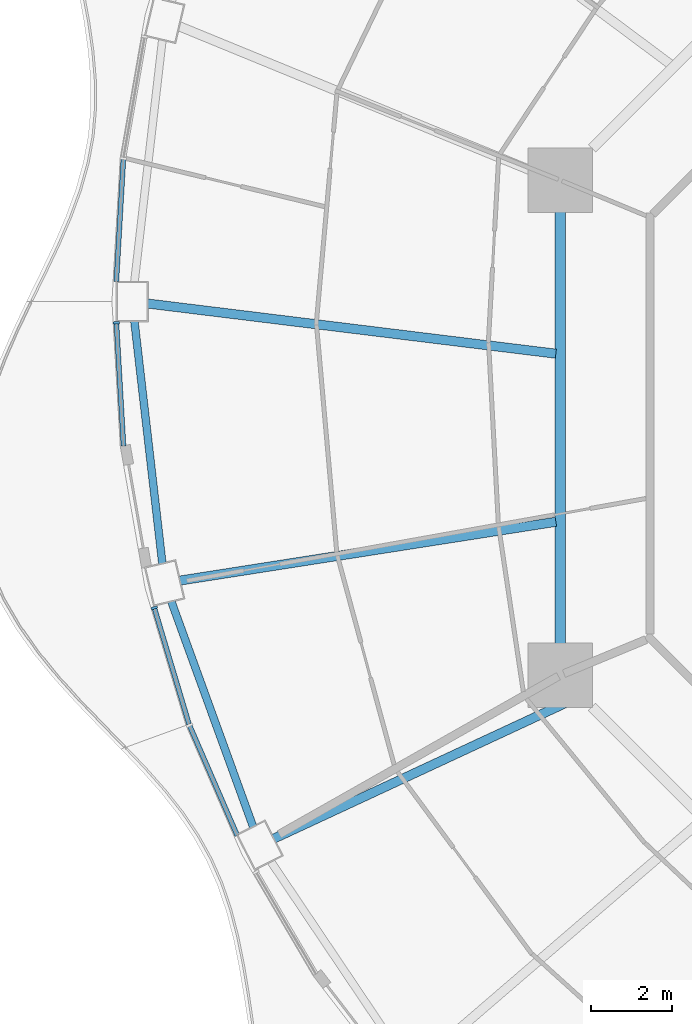
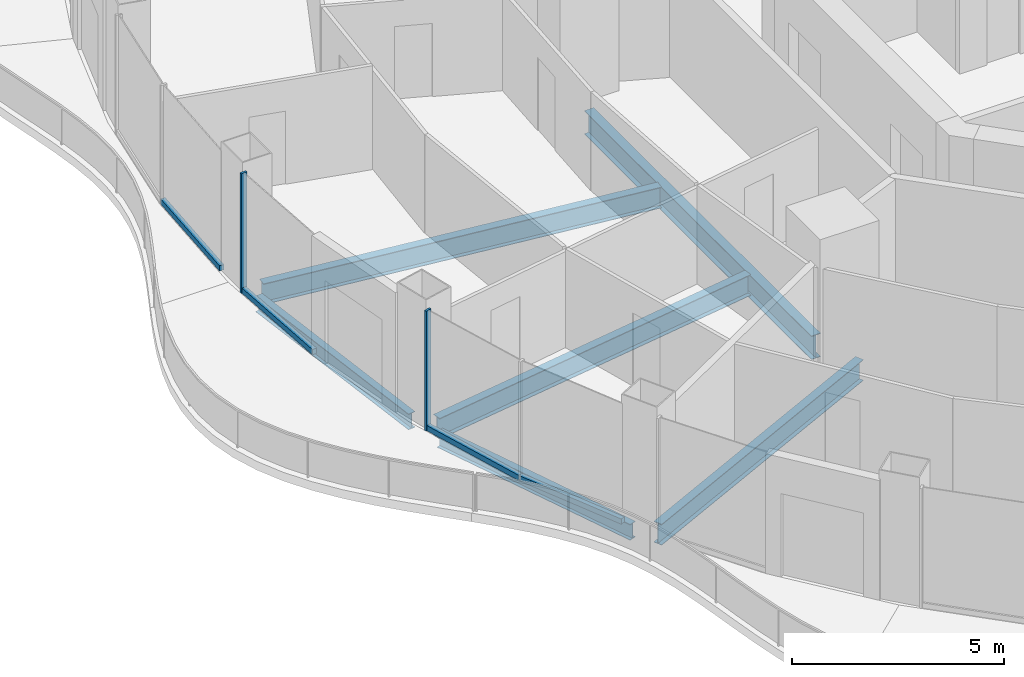
# One storey, part 3 of 18: 6 beams, 6 members, 4 elements without a shape of their own.
"""IFC4 building model written with IfcOpenShell, lengths in metres."""

from ifc_helpers import new_model, si_unit, direction, frame, origin, origin_2d, place, context, subcontext, project, spatial, rectangle, i_section, extrude, material, layer, layer_set, material_profile, profile_set, type_object, element, aggregate, save


model = new_model("IFC4")

# Units and contexts
model_context = context("Model", 3, precision=1e-05, world=origin(), true_north=direction((0.0, 1.0)))
body_context = subcontext(model_context, "Body", "Model", "MODEL_VIEW")
ifc_project = project(units=[si_unit("LENGTHUNIT", "METRE"), si_unit("AREAUNIT", "SQUARE_METRE"), si_unit("VOLUMEUNIT", "CUBIC_METRE"), si_unit("PLANEANGLEUNIT", "RADIAN"), si_unit("MASSUNIT", "GRAM", prefix="KILO")], contexts=[model_context])

# Site, building, storey
site_placement = place(None, origin())
site = spatial("IfcSite", under=ifc_project, at=site_placement, CompositionType="ELEMENT")
building_placement = place(site_placement, origin())
building = spatial("IfcBuilding", under=site, at=building_placement, Name="Nagisa Residences", CompositionType="ELEMENT")
storey_placement = place(building_placement, frame((0.0, 0.0, 245.5)))
storey = spatial("IfcBuildingStorey", under=building, at=storey_placement, Name="L62", CompositionType="ELEMENT", Elevation=245.5)

# Curtain wall, member
ifc_material_1 = material(Name="Concrete-coloured aluminium curtain wall system", Category="concrete")
ifc_layer = layer(ifc_material_1, 0.159912109375)
ifc_layer_set = layer_set([ifc_layer], Name="CW1 CURTAIN WALL")
curtain_wall_type = type_object("IfcCurtainWallType", Name="CW1 CURTAIN WALL", PredefinedType="NOTDEFINED", material=ifc_layer_set)
curtain_wall_1_placement = place(storey_placement, origin())
curtain_wall_1 = element("IfcCurtainWall", 1, at=curtain_wall_1_placement, inside=storey, type_object=curtain_wall_type, Name="cw:CW1:L62:24", PredefinedType="NOTDEFINED")
ifc_material_2 = material(Name="Concrete-coloured aluminium", Category="concrete")
ifc_material_profile_1 = material_profile(ifc_material_2, rectangle(XDim=0.159912109375, YDim=0.06005859375, at=origin_2d()), Name="CW1 MULLION 160x60")
ifc_profile_set_1 = profile_set([ifc_material_profile_1], Name="Concrete-coloured aluminium")
member_type_1 = type_object("IfcMemberType", Name="CW1 MULLION 160x60", PredefinedType="MULLION", material=ifc_profile_set_1)
member_1_placement = place(storey_placement, frame((-25.759765625, 2.59326171875, 0.0), z_axis=(0.0, 0.0, 1.0), x_axis=(0.998345305184, 0.057503492216, 0.0)))
member_1 = element("IfcMember", 2, at=member_1_placement, type_object=member_type_1, Name="CW1 mullion", PredefinedType="MULLION", context=body_context, shape_type="SweptSolid", body=[
    extrude(rectangle(XDim=0.159912109375, YDim=0.06005859375, at=origin_2d()), origin(), (0.0, 0.0, 1.0), 3.43994140625),
])

curtain_wall_2_placement = place(storey_placement, origin())
curtain_wall_2 = element("IfcCurtainWall", 3, at=curtain_wall_2_placement, inside=storey, type_object=curtain_wall_type, Name="cw:CW1:L62:26", PredefinedType="NOTDEFINED")
member_2_placement = place(storey_placement, frame((-24.82177734375, -4.456298828125, 0.0), z_axis=(0.0, 0.0, 1.0), x_axis=(0.958271310082, 0.285860274038, 0.0)))
member_2 = element("IfcMember", 4, at=member_2_placement, type_object=member_type_1, Name="CW1 mullion", PredefinedType="MULLION", context=body_context, shape_type="SweptSolid", body=[
    extrude(rectangle(XDim=0.159912109375, YDim=0.06005859375, at=origin_2d()), origin(), (0.0, 0.0, 1.0), 3.43994140625),
])

curtain_wall_3_placement = place(storey_placement, origin())
curtain_wall_3 = element("IfcCurtainWall", 5, at=curtain_wall_3_placement, inside=storey, type_object=curtain_wall_type, Name="cw:CW1:L62:23", PredefinedType="NOTDEFINED")
ifc_material_3 = material(Name="Concrete-coloured aluminium", Category="concrete")
ifc_material_profile_2 = material_profile(ifc_material_3, rectangle(XDim=0.1201171875, YDim=0.14990234375, at=origin_2d()), Name="CW1 TRANSOM 120x150")
ifc_profile_set_2 = profile_set([ifc_material_profile_2], Name="Concrete-coloured aluminium")
member_type_2 = type_object("IfcMemberType", Name="CW1 TRANSOM 120x150", PredefinedType="USERDEFINED", material=ifc_profile_set_2)
member_3_placement = place(storey_placement, frame((-25.584228515625, 6.688232421875, 0.074951171875), z_axis=(-0.057528189427, -0.998343882348, 0.0), x_axis=(0.998343882348, -0.057528189427, 0.0)))
member_3 = element("IfcMember", 6, at=member_3_placement, type_object=member_type_2, Name="CW1 transom", ObjectType="TRANSOM", PredefinedType="USERDEFINED", context=body_context, shape_type="SweptSolid", body=[
    extrude(rectangle(XDim=0.1201171875, YDim=0.14990234375, at=origin_2d()), origin(), (0.0, 0.0, 1.0), 3.0810546875),
])
aggregate(curtain_wall_3, [member_3])

# Member
member_4_placement = place(storey_placement, frame((-25.761474609375, 2.623046875, 0.074951171875), z_axis=(0.057528189427, -0.998343882348, 0.0), x_axis=(0.998343882348, 0.057528189427, 0.0)))
member_4 = element("IfcMember", 7, at=member_4_placement, type_object=member_type_2, Name="CW1 transom", ObjectType="TRANSOM", PredefinedType="USERDEFINED", context=body_context, shape_type="SweptSolid", body=[
    extrude(rectangle(XDim=0.1201171875, YDim=0.14990234375, at=origin_2d()), origin(), (0.0, 0.0, 1.0), 3.0810546875),
])

aggregate(curtain_wall_1, [member_1, member_4])

member_5_placement = place(storey_placement, frame((-24.830322265625, -4.427734375, 0.074951171875), z_axis=(0.285881452443, -0.958264992134, 0.0), x_axis=(0.958264992134, 0.285881452443, 0.0)))
member_5 = element("IfcMember", 8, at=member_5_placement, type_object=member_type_2, Name="CW1 transom", ObjectType="TRANSOM", PredefinedType="USERDEFINED", context=body_context, shape_type="SweptSolid", body=[
    extrude(rectangle(XDim=0.1201171875, YDim=0.14990234375, at=origin_2d()), origin(), (0.0, 0.0, 1.0), 3.040283203125),
])

aggregate(curtain_wall_2, [member_2, member_5])

# Curtain wall, member
curtain_wall_4_placement = place(storey_placement, origin())
curtain_wall_4 = element("IfcCurtainWall", 9, at=curtain_wall_4_placement, inside=storey, type_object=curtain_wall_type, Name="cw:CW1:L62:27", PredefinedType="NOTDEFINED")
member_6_placement = place(storey_placement, frame((-23.96435546875, -7.332275390625, 0.074951171875), z_axis=(0.397616567135, -0.917551669139, 0.0), x_axis=(0.917551669139, 0.397616567135, 0.0)))
member_6 = element("IfcMember", 10, at=member_6_placement, type_object=member_type_2, Name="CW1 transom", ObjectType="TRANSOM", PredefinedType="USERDEFINED", context=body_context, shape_type="SweptSolid", body=[
    extrude(rectangle(XDim=0.1201171875, YDim=0.14990234375, at=origin_2d()), origin(), (0.0, 0.0, 1.0), 3.001953125),
])
aggregate(curtain_wall_4, [member_6])

# Beams
ifc_material_4 = material(Name="Steel ASTM A572 Gr 50", Category="steel")
ifc_material_profile_3 = material_profile(ifc_material_4, i_section(OverallWidth=0.2529296875, OverallDepth=0.677978515625, WebThickness=0.01171875, FlangeThickness=0.016357421875, at=origin_2d()), Name="W690x125")
ifc_profile_set_3 = profile_set([ifc_material_profile_3], Name="Steel ASTM A572 Gr 50")
beam_type_1 = type_object("IfcBeamType", Name="Inner ring beam W690x125", PredefinedType="BEAM", material=ifc_profile_set_3)
beam_1_placement = place(storey_placement, frame((-14.781982421875, 5.343017578125, -0.59912109375), z_axis=(0.0, -1.0, 0.0), x_axis=(1.0, 0.0, 0.0)))
element("IfcBeam", 11, at=beam_1_placement, inside=storey, type_object=beam_type_1, Name="beam:L62:ib4", PredefinedType="BEAM", context=body_context, shape_type="SweptSolid", body=[
    extrude(i_section(OverallWidth=0.2529296875, OverallDepth=0.677978515625, WebThickness=0.01171875, FlangeThickness=0.016357421875, at=origin_2d()), origin(), (0.0, 0.0, 1.0), 10.68603515625),
])
ifc_material_5 = material(Name="Steel ASTM A572 Gr 50", Category="steel")
ifc_material_profile_4 = material_profile(ifc_material_5, i_section(OverallWidth=0.18994140625, OverallDepth=0.45703125, WebThickness=0.009033203125, FlangeThickness=0.014404296875, at=origin_2d()), Name="W460x74")
ifc_profile_set_4 = profile_set([ifc_material_profile_4], Name="Steel ASTM A572 Gr 50")
beam_type_2 = type_object("IfcBeamType", Name="Perimeter ring beam W460x74", PredefinedType="BEAM", material=ifc_profile_set_4)
beam_2_placement = place(storey_placement, frame((-25.314697265625, 2.637451171875, -0.488525390625), z_axis=(0.114650193512, -0.993405925656, 0.0), x_axis=(0.993405925656, 0.114650193512, 0.0)))
element("IfcBeam", 12, at=beam_2_placement, inside=storey, type_object=beam_type_2, Name="beam:L62:pb13", PredefinedType="BEAM", context=body_context, shape_type="SweptSolid", body=[
    extrude(i_section(OverallWidth=0.18994140625, OverallDepth=0.45703125, WebThickness=0.009033203125, FlangeThickness=0.014404296875, at=origin_2d()), origin(), (0.0, 0.0, 1.0), 6.0390625),
])
beam_3_placement = place(storey_placement, frame((-24.40185546875, -4.29638671875, -0.488525390625), z_axis=(0.341290329164, -0.939957930558, 0.0), x_axis=(0.939957930558, 0.341290329164, 0.0)))
element("IfcBeam", 13, at=beam_3_placement, inside=storey, type_object=beam_type_2, Name="beam:L62:pb14", PredefinedType="BEAM", context=body_context, shape_type="SweptSolid", body=[
    extrude(i_section(OverallWidth=0.18994140625, OverallDepth=0.45703125, WebThickness=0.009033203125, FlangeThickness=0.014404296875, at=origin_2d()), origin(), (0.0, 0.0, 1.0), 5.932373046875),
])
ifc_material_6 = material(Name="Steel ASTM A572 Gr 50", Category="steel")
ifc_material_profile_5 = material_profile(ifc_material_6, i_section(OverallWidth=0.22802734375, OverallDepth=0.60302734375, WebThickness=0.010498046875, FlangeThickness=0.014892578125, at=origin_2d()), Name="W610x101")
ifc_profile_set_5 = profile_set([ifc_material_profile_5], Name="Steel ASTM A572 Gr 50")
beam_type_3 = type_object("IfcBeamType", Name="Radial beam W610x101", PredefinedType="BEAM", material=ifc_profile_set_5)
beam_4_placement = place(storey_placement, frame((-24.98974609375, 3.071044921875, -0.5615234375), z_axis=(0.992531892614, -0.121985417749, 0.0), x_axis=(0.121985417749, 0.992531892614, 0.0)))
element("IfcBeam", 14, at=beam_4_placement, inside=storey, type_object=beam_type_3, Name="beam:L62:rb13", PredefinedType="BEAM", context=body_context, shape_type="SweptSolid", body=[
    extrude(i_section(OverallWidth=0.22802734375, OverallDepth=0.60302734375, WebThickness=0.010498046875, FlangeThickness=0.014892578125, at=origin_2d()), origin(), (0.0, 0.0, 1.0), 10.177001953125),
])
beam_5_placement = place(storey_placement, frame((-24.190185546875, -3.782958984375, -0.5615234375), z_axis=(0.987991506145, 0.154508199738, 0.0), x_axis=(-0.154508199738, 0.987991506145, 0.0)))
element("IfcBeam", 15, at=beam_5_placement, inside=storey, type_object=beam_type_3, Name="beam:L62:rb14", PredefinedType="BEAM", context=body_context, shape_type="SweptSolid", body=[
    extrude(i_section(OverallWidth=0.22802734375, OverallDepth=0.60302734375, WebThickness=0.010498046875, FlangeThickness=0.014892578125, at=origin_2d()), origin(), (0.0, 0.0, 1.0), 9.414306640625),
])
beam_6_placement = place(storey_placement, frame((-21.867431640625, -10.1669921875, -0.5615234375), z_axis=(0.906781531642, 0.421600822903, 0.0), x_axis=(-0.421600822903, 0.906781531642, 0.0)))
element("IfcBeam", 16, at=beam_6_placement, inside=storey, type_object=beam_type_3, Name="beam:L62:rb15", PredefinedType="BEAM", context=body_context, shape_type="SweptSolid", body=[
    extrude(i_section(OverallWidth=0.22802734375, OverallDepth=0.60302734375, WebThickness=0.010498046875, FlangeThickness=0.014892578125, at=origin_2d()), origin(), (0.0, 0.0, 1.0), 8.263427734375),
])

save(model, "model.ifc")
